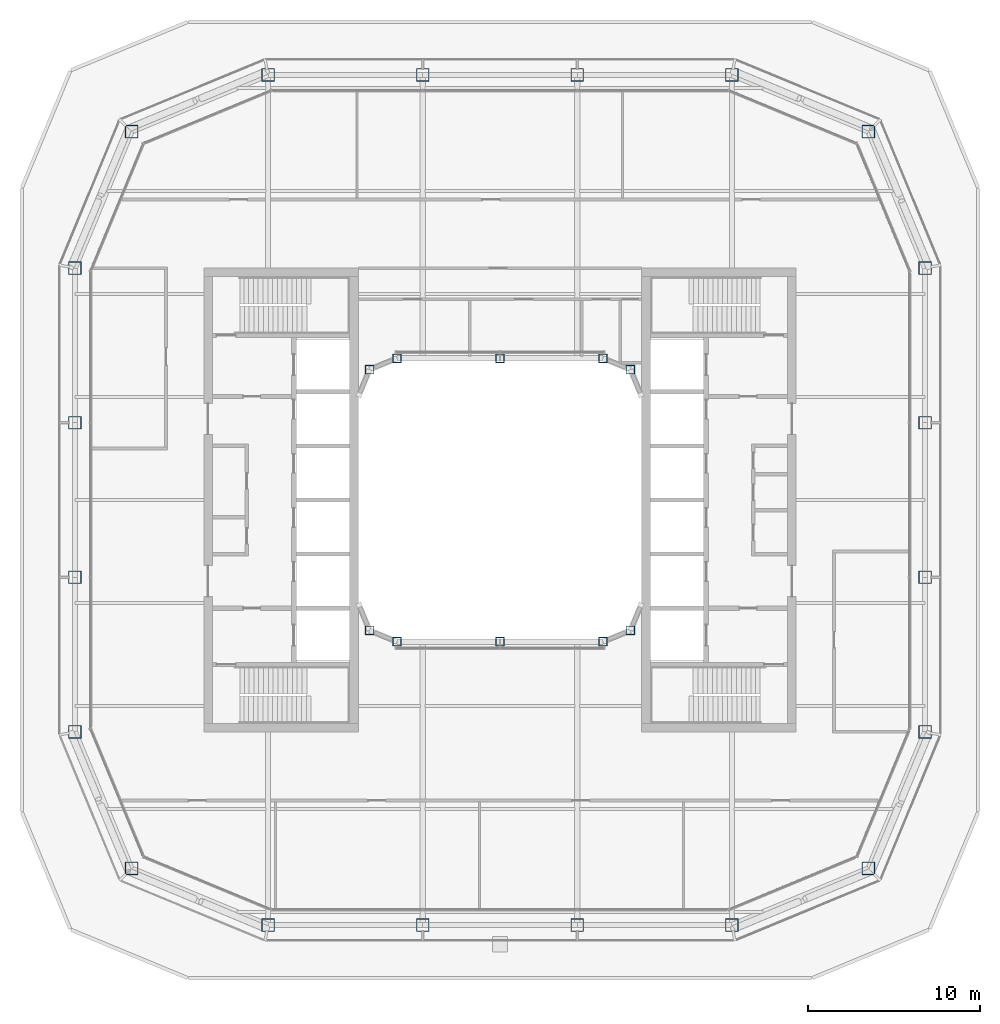
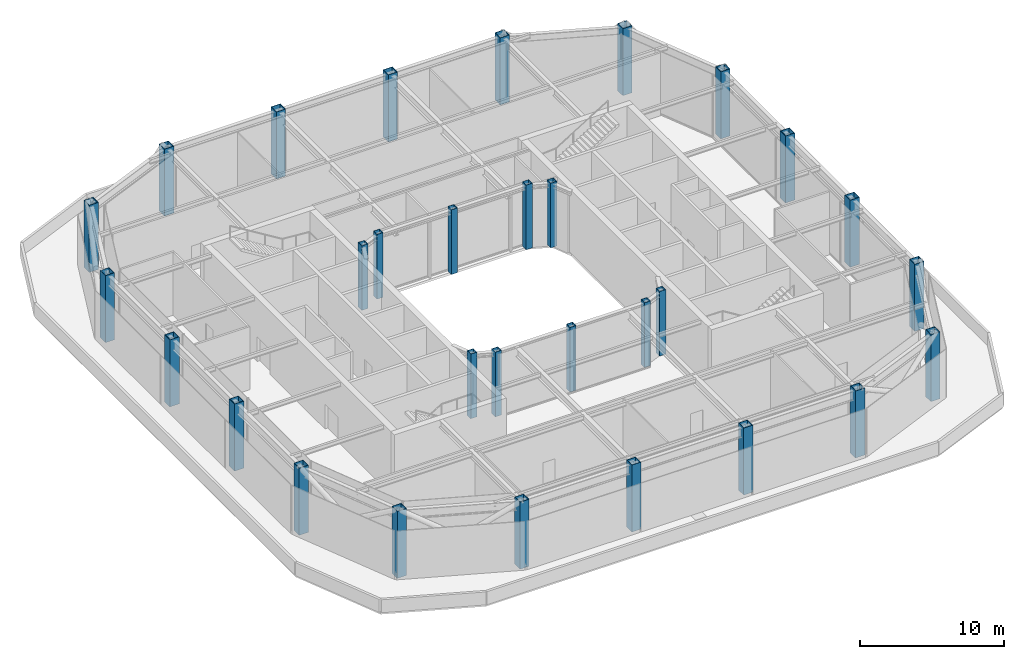
# One storey, part 1 of 17: 30 columns.
"""IFC4 building model written with IfcOpenShell, lengths in metres."""

from ifc_helpers import new_model, si_unit, direction, frame, origin, origin_2d, place, context, subcontext, project, spatial, hollow_rectangle, extrude, material, material_profile, profile_set, type_object, element, save


model = new_model("IFC4")

# Units and contexts
model_context = context("Model", 3, precision=1e-05, world=origin(), true_north=direction((0.0, 1.0)))
body_context = subcontext(model_context, "Body", "Model", "MODEL_VIEW")
ifc_project = project(units=[si_unit("LENGTHUNIT", "METRE"), si_unit("AREAUNIT", "SQUARE_METRE"), si_unit("VOLUMEUNIT", "CUBIC_METRE"), si_unit("PLANEANGLEUNIT", "RADIAN"), si_unit("MASSUNIT", "GRAM", prefix="KILO")], contexts=[model_context])

# Site, building, storey
site_placement = place(None, origin())
site = spatial("IfcSite", under=ifc_project, at=site_placement, CompositionType="ELEMENT")
building_placement = place(site_placement, origin())
building = spatial("IfcBuilding", under=site, at=building_placement, Name="Siwar Civic Tower", CompositionType="ELEMENT")
storey_placement = place(building_placement, frame((0.0, 0.0, 284.199951171875)))
storey = spatial("IfcBuildingStorey", under=building, at=storey_placement, Name="L61", CompositionType="ELEMENT", Elevation=284.199951171875)

# Columns
ifc_material_1 = material(Name="Steel S355", Category="steel")
ifc_material_profile_1 = material_profile(ifc_material_1, hollow_rectangle(XDim=0.75, YDim=0.75, WallThickness=0.0400390625, at=origin_2d()), Name="BOX750x750x40")
ifc_profile_set_1 = profile_set([ifc_material_profile_1], Name="Steel S355")
column_type_1 = type_object("IfcColumnType", Name="STR-COL-BOX750x750x40", PredefinedType="COLUMN", material=ifc_profile_set_1)
for number, where, z_axis, x_axis, name in (
    (1, (-13.5, -24.75, -0.199951171875), (0.0, 0.0, 1.0), (1.0, 0.0, 0.0), "L61/col/S-0"),
    (2, (-4.5, -24.75, -0.199951171875), (0.0, 0.0, 1.0), (1.0, 0.0, 0.0), "L61/col/S-1"),
    (3, (4.5, -24.75, -0.199951171875), (0.0, 0.0, 1.0), (1.0, 0.0, 0.0), "L61/col/S-2"),
    (4, (13.5, -24.75, -0.199951171875), (0.0, 0.0, 1.0), (1.0, 0.0, 0.0), "L61/col/SE1-0"),
    (5, (21.454833984375, -21.454833984375, -0.199951171875), (0.0, 0.0, 1.0), (1.0, 0.0, 0.0), "L61/col/SE2-0"),
    (6, (24.75, -13.5, -0.199951171875), (0.0, 0.0, 1.0), (1.0, 0.0, 0.0), "L61/col/E-0"),
    (7, (24.75, -4.5, -0.199951171875), (0.0, 0.0, 1.0), (1.0, 0.0, 0.0), "L61/col/E-1"),
    (8, (24.75, 4.5, -0.199951171875), (0.0, 0.0, 1.0), (1.0, 0.0, 0.0), "L61/col/E-2"),
    (9, (24.75, 13.5, -0.199951171875), (0.0, 0.0, 1.0), (1.0, 0.0, 0.0), "L61/col/NE1-0"),
    (10, (21.454833984375, 21.454833984375, -0.199951171875), (0.0, 0.0, 1.0), (1.0, 0.0, 0.0), "L61/col/NE2-0"),
    (11, (13.5, 24.75, -0.199951171875), (0.0, 0.0, 1.0), (1.0, 0.0, 0.0), "L61/col/N-0"),
    (12, (4.5, 24.75, -0.199951171875), (0.0, 0.0, 1.0), (1.0, 0.0, 0.0), "L61/col/N-1"),
    (13, (-4.5, 24.75, -0.199951171875), (0.0, 0.0, 1.0), (1.0, 0.0, 0.0), "L61/col/N-2"),
    (14, (-13.5, 24.75, -0.199951171875), (0.0, 0.0, 1.0), (1.0, 0.0, 0.0), "L61/col/NW1-0"),
    (15, (-21.454833984375, 21.454833984375, -0.199951171875), (0.0, 0.0, 1.0), (1.0, 0.0, 0.0), "L61/col/NW2-0"),
    (16, (-24.75, 13.5, -0.199951171875), (0.0, 0.0, 1.0), (1.0, 0.0, 0.0), "L61/col/W-0"),
    (17, (-24.75, 4.5, -0.199951171875), (0.0, 0.0, 1.0), (1.0, 0.0, 0.0), "L61/col/W-1"),
    (18, (-24.75, -4.5, -0.199951171875), (0.0, 0.0, 1.0), (1.0, 0.0, 0.0), "L61/col/W-2"),
    (19, (-24.75, -13.5, -0.199951171875), (0.0, 0.0, 1.0), (1.0, 0.0, 0.0), "L61/col/SW1-0"),
    (20, (-21.454833984375, -21.454833984375, -0.199951171875), (0.0, 0.0, 1.0), (1.0, 0.0, 0.0), "L61/col/SW2-0"),
):
    element("IfcColumn", number, at=place(storey_placement, frame(where, z_axis=z_axis, x_axis=x_axis)), inside=storey, type_object=column_type_1, Name=name, PredefinedType="COLUMN", context=body_context, shape_type="SweptSolid", body=[
        extrude(hollow_rectangle(XDim=0.75, YDim=0.75, WallThickness=0.0400390625, at=origin_2d()), origin(), (0.0, 0.0, 1.0), 5.699951171875),
    ])
ifc_material_2 = material(Name="Steel S355", Category="steel")
ifc_material_profile_2 = material_profile(ifc_material_2, hollow_rectangle(XDim=0.5, YDim=0.5, WallThickness=0.02490234375, at=origin_2d()), Name="BOX500x500x25")
ifc_profile_set_2 = profile_set([ifc_material_profile_2], Name="Steel S355")
column_type_2 = type_object("IfcColumnType", Name="STR-ICOL-BOX500x500x25", PredefinedType="COLUMN", material=ifc_profile_set_2)
for number, where, z_axis, x_axis, name in (
    (21, (-7.591064453125, -7.591064453125, 0.0), (0.0, 0.0, 1.0), (1.0, 0.0, 0.0), "L61/col/IS-0"),
    (22, (-6.0, -8.25, 0.0), (0.0, 0.0, 1.0), (1.0, 0.0, 0.0), "L61/col/IS-1"),
    (23, (0.0, -8.25, 0.0), (0.0, 0.0, 1.0), (1.0, 0.0, 0.0), "L61/col/IS-2"),
    (24, (6.0, -8.25, 0.0), (0.0, 0.0, 1.0), (1.0, 0.0, 0.0), "L61/col/IS-3"),
    (25, (7.591064453125, -7.591064453125, 0.0), (0.0, 0.0, 1.0), (1.0, 0.0, 0.0), "L61/col/IS-4"),
    (26, (-7.591064453125, 7.591064453125, 0.0), (0.0, 0.0, 1.0), (1.0, 0.0, 0.0), "L61/col/IN-0"),
    (27, (-6.0, 8.25, 0.0), (0.0, 0.0, 1.0), (1.0, 0.0, 0.0), "L61/col/IN-1"),
    (28, (0.0, 8.25, 0.0), (0.0, 0.0, 1.0), (1.0, 0.0, 0.0), "L61/col/IN-2"),
    (29, (6.0, 8.25, 0.0), (0.0, 0.0, 1.0), (1.0, 0.0, 0.0), "L61/col/IN-3"),
    (30, (7.591064453125, 7.591064453125, 0.0), (0.0, 0.0, 1.0), (1.0, 0.0, 0.0), "L61/col/IN-4"),
):
    element("IfcColumn", number, at=place(storey_placement, frame(where, z_axis=z_axis, x_axis=x_axis)), inside=storey, type_object=column_type_2, Name=name, PredefinedType="COLUMN", context=body_context, shape_type="SweptSolid", body=[
        extrude(hollow_rectangle(XDim=0.5, YDim=0.5, WallThickness=0.02490234375, at=origin_2d()), origin(), (0.0, 0.0, 1.0), 5.5),
    ])

save(model, "model.ifc")
